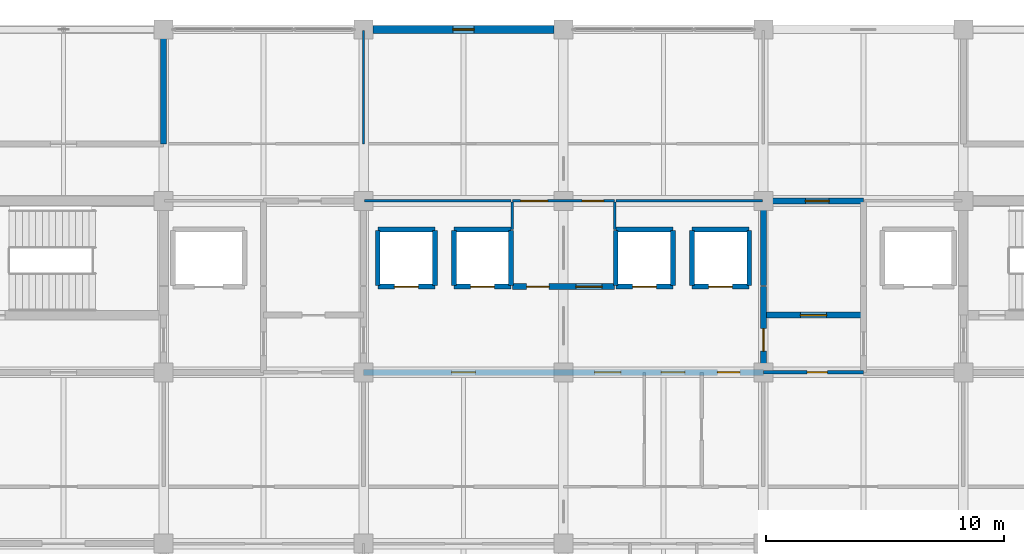
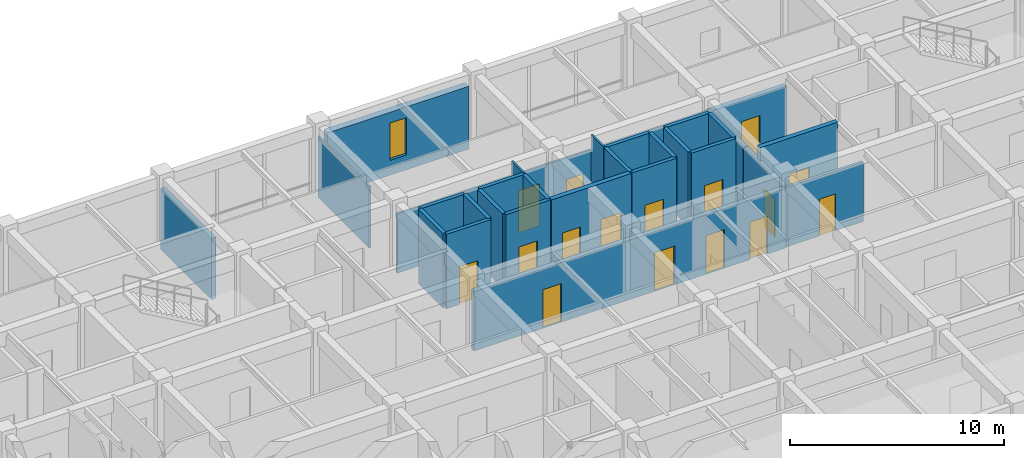
# One storey, part 28 of 40: 31 walls, 16 doors, 1 window, 17 openings.
"""IFC4 building model written with IfcOpenShell, lengths in metres."""

from ifc_helpers import new_model, si_unit, direction, frame, frame_2d, origin, place, context, subcontext, project, spatial, rectangle, extrude, material, layer, layer_set, type_object, element, fill, save


model = new_model("IFC4")

# Units and contexts
model_context = context("Model", 3, precision=1e-05, world=origin(), true_north=direction((0.0, 1.0)))
body_context = subcontext(model_context, "Body", "Model", "MODEL_VIEW")
ifc_project = project(units=[si_unit("LENGTHUNIT", "METRE"), si_unit("AREAUNIT", "SQUARE_METRE"), si_unit("VOLUMEUNIT", "CUBIC_METRE"), si_unit("PLANEANGLEUNIT", "RADIAN"), si_unit("MASSUNIT", "GRAM", prefix="KILO")], contexts=[model_context])

# Site, building, storey
site_placement = place(None, origin())
site = spatial("IfcSite", under=ifc_project, at=site_placement, CompositionType="ELEMENT")
building_placement = place(site_placement, origin())
building = spatial("IfcBuilding", under=site, at=building_placement, Name="Chengyuan Square Courthouse", CompositionType="ELEMENT")
storey_placement = place(building_placement, frame((0.0, 0.0, 21.60009765625)))
storey = spatial("IfcBuildingStorey", under=building, at=storey_placement, Name="L05", CompositionType="ELEMENT", Elevation=21.60009765625)

# Wall, opening, window
ifc_material_1 = material(Name="Concrete C40", Category="concrete")
ifc_layer_1 = layer(ifc_material_1, 0.35009765625)
ifc_layer_set_1 = layer_set([ifc_layer_1], Name="Concrete C40")
wall_type_1 = type_object("IfcWallType", Name="WL-EW2", PredefinedType="STANDARD", material=ifc_layer_set_1)
wall_1_placement = place(storey_placement, frame((75.9951171875, 115.199951171875, 0.0), z_axis=(0.0, 0.0, 1.0), x_axis=(1.0, 0.0, 0.0)))
wall_1 = element("IfcWall", 1, at=wall_1_placement, inside=storey, type_object=wall_type_1, Name="Exterior Wall WL-L05-E346", PredefinedType="STANDARD", context=body_context, shape_type="SweptSolid", body=[
    extrude(rectangle(XDim=7.60986328125, YDim=0.35009765625, at=frame_2d((3.804931640625, 0.0))), origin(), (0.0, 0.0, 1.0), 3.58984375),
])
opening_1_placement = place(wall_1_placement, frame((3.35498046875, 0.0, 0.85009765625)))
opening_1 = element("IfcOpeningElement", 2, at=opening_1_placement, cuts=wall_1, Name="Opening WN-115", PredefinedType="OPENING", context=body_context, shape_type="SweptSolid", body=[
    extrude(rectangle(XDim=0.89990234375, YDim=2.1201171875, at=frame_2d((0.449951171875, 1.06005859375))), frame((0.0, 0.18701171875, 0.0), z_axis=(0.0, -1.0, 0.0), x_axis=(1.0, 0.0, 0.0)), (0.0, 0.0, 1.0), 0.3740234375),
])
ifc_material_2 = material(Name="Thermally Broken Aluminium Triple Low-E Window", Category="aluminium")
window_type = type_object("IfcWindowType", Name="WT-06", PartitioningType="SINGLE_PANEL", PredefinedType="WINDOW", material=ifc_material_2)
window_placement = place(opening_1_placement, origin())
window = element("IfcWindow", 3, at=window_placement, inside=storey, type_object=window_type, Name="Facade Window WN-115", OverallHeight=2.1201171875, OverallWidth=0.89990234375, PartitioningType="SINGLE_PANEL", PredefinedType="WINDOW", context=body_context, shape_type="SweptSolid", body=[
    extrude(rectangle(XDim=0.89990234375, YDim=2.1201171875, at=frame_2d((0.449951171875, 1.06005859375))), frame((0.0, 0.030029296875, 0.0), z_axis=(0.0, -1.0, 0.0), x_axis=(1.0, 0.0, 0.0)), (0.0, 0.0, 1.0), 0.06005859375),
])
fill(opening_1, window)

# Wall, openings, doors
ifc_layer_2 = layer(ifc_material_1, 0.25)
ifc_layer_set_2 = layer_set([ifc_layer_2], Name="Concrete C40")
wall_type_2 = type_object("IfcWallType", Name="WL-FW1", PredefinedType="STANDARD", material=ifc_layer_set_2)
wall_2_placement = place(storey_placement, frame((75.60009765625, 100.800048828125, 0.0), z_axis=(0.0, 0.0, 1.0), x_axis=(1.0, 0.0, 0.0)))
wall_2 = element("IfcWall", 4, at=wall_2_placement, inside=storey, type_object=wall_type_2, Name="Interior Wall WL-L05-I2162", PredefinedType="STANDARD", context=body_context, shape_type="SweptSolid", body=[
    extrude(rectangle(XDim=16.7998046875, YDim=0.25, at=frame_2d((8.39990234375, 0.0))), origin(), (0.0, 0.0, 1.0), 3.389892578125),
])
opening_2_placement = place(wall_2_placement, frame((3.699951171875, 0.0, 0.0)))
opening_2 = element("IfcOpeningElement", 5, at=opening_2_placement, cuts=wall_2, Name="Opening DR-1964", PredefinedType="OPENING", context=body_context, shape_type="SweptSolid", body=[
    extrude(rectangle(XDim=1.0, YDim=2.199951171875, at=frame_2d((0.5, 1.10009765625))), frame((0.0, 0.136962890625, 0.0), z_axis=(0.0, -1.0, 0.0), x_axis=(1.0, 0.0, 0.0)), (0.0, 0.0, 1.0), 0.27392578125),
])
opening_3_placement = place(wall_2_placement, frame((9.7099609375, 0.0, 0.0)))
opening_3 = element("IfcOpeningElement", 6, at=opening_3_placement, cuts=wall_2, Name="Opening DR-1966", PredefinedType="OPENING", context=body_context, shape_type="SweptSolid", body=[
    extrude(rectangle(XDim=1.10009765625, YDim=2.199951171875, at=frame_2d((0.550048828125, 1.10009765625))), frame((0.0, 0.136962890625, 0.0), z_axis=(0.0, -1.0, 0.0), x_axis=(1.0, 0.0, 0.0)), (0.0, 0.0, 1.0), 0.27392578125),
])
opening_4_placement = place(wall_2_placement, frame((12.5, 0.0, 0.0)))
opening_4 = element("IfcOpeningElement", 7, at=opening_4_placement, cuts=wall_2, Name="Opening DR-1967", PredefinedType="OPENING", context=body_context, shape_type="SweptSolid", body=[
    extrude(rectangle(XDim=1.0, YDim=2.199951171875, at=frame_2d((0.5, 1.10009765625))), frame((0.0, 0.136962890625, 0.0), z_axis=(0.0, -1.0, 0.0), x_axis=(1.0, 0.0, 0.0)), (0.0, 0.0, 1.0), 0.27392578125),
])
opening_5_placement = place(wall_2_placement, frame((14.864990234375, 0.0, 0.0)))
opening_5 = element("IfcOpeningElement", 8, at=opening_5_placement, cuts=wall_2, Name="Opening DR-1968", PredefinedType="OPENING", context=body_context, shape_type="SweptSolid", body=[
    extrude(rectangle(XDim=0.949951171875, YDim=2.14990234375, at=frame_2d((0.47509765625, 1.074951171875))), frame((0.0, 0.136962890625, 0.0), z_axis=(0.0, -1.0, 0.0), x_axis=(1.0, 0.0, 0.0)), (0.0, 0.0, 1.0), 0.27392578125),
])
ifc_material_3 = material(Name="Steel Q235B Fire Door", Category="steel")
door_type_1 = type_object("IfcDoorType", Name="DT-10", OperationType="NOTDEFINED", PredefinedType="DOOR", material=ifc_material_3)
door_1_placement = place(opening_3_placement, origin())
door_1 = element("IfcDoor", 9, at=door_1_placement, inside=storey, type_object=door_type_1, Name="Interior Door DR-1966", OperationType="SINGLE_SWING_RIGHT", OverallHeight=2.199951171875, OverallWidth=1.10009765625, PredefinedType="DOOR", context=body_context, shape_type="SweptSolid", body=[
    extrude(rectangle(XDim=1.10009765625, YDim=2.199951171875, at=frame_2d((0.550048828125, 1.10009765625))), frame((0.0, 0.02490234375, 0.0), z_axis=(0.0, -1.0, 0.0), x_axis=(1.0, 0.0, 0.0)), (0.0, 0.0, 1.0), 0.050048828125),
])
fill(opening_3, door_1)
door_type_2 = type_object("IfcDoorType", Name="DT-11", OperationType="NOTDEFINED", PredefinedType="DOOR", material=ifc_material_3)
door_2_placement = place(opening_2_placement, origin())
door_2 = element("IfcDoor", 10, at=door_2_placement, inside=storey, type_object=door_type_2, Name="Interior Door DR-1964", OperationType="SINGLE_SWING_RIGHT", OverallHeight=2.199951171875, OverallWidth=1.0, PredefinedType="DOOR", context=body_context, shape_type="SweptSolid", body=[
    extrude(rectangle(XDim=1.0, YDim=2.199951171875, at=frame_2d((0.5, 1.10009765625))), frame((0.0, 0.02490234375, 0.0), z_axis=(0.0, -1.0, 0.0), x_axis=(1.0, 0.0, 0.0)), (0.0, 0.0, 1.0), 0.050048828125),
])
fill(opening_2, door_2)
door_3_placement = place(opening_4_placement, origin())
door_3 = element("IfcDoor", 11, at=door_3_placement, inside=storey, type_object=door_type_2, Name="Interior Door DR-1967", OperationType="SINGLE_SWING_LEFT", OverallHeight=2.199951171875, OverallWidth=1.0, PredefinedType="DOOR", context=body_context, shape_type="SweptSolid", body=[
    extrude(rectangle(XDim=1.0, YDim=2.199951171875, at=frame_2d((0.5, 1.10009765625))), frame((0.0, 0.02490234375, 0.0), z_axis=(0.0, -1.0, 0.0), x_axis=(1.0, 0.0, 0.0)), (0.0, 0.0, 1.0), 0.050048828125),
])
fill(opening_4, door_3)
door_type_3 = type_object("IfcDoorType", Name="DT-12", OperationType="NOTDEFINED", PredefinedType="DOOR", material=ifc_material_3)
door_4_placement = place(opening_5_placement, origin())
door_4 = element("IfcDoor", 12, at=door_4_placement, inside=storey, type_object=door_type_3, Name="Interior Door DR-1968", OperationType="SINGLE_SWING_RIGHT", OverallHeight=2.14990234375, OverallWidth=0.949951171875, PredefinedType="DOOR", context=body_context, shape_type="SweptSolid", body=[
    extrude(rectangle(XDim=0.949951171875, YDim=2.14990234375, at=frame_2d((0.47509765625, 1.074951171875))), frame((0.0, 0.02490234375, 0.0), z_axis=(0.0, -1.0, 0.0), x_axis=(1.0, 0.0, 0.0)), (0.0, 0.0, 1.0), 0.050048828125),
])
fill(opening_5, door_4)

# Wall, opening, door
wall_3_placement = place(storey_placement, frame((92.39990234375, 103.199951171875, 0.0), z_axis=(0.0, 0.0, 1.0), x_axis=(1.0, 0.0, 0.0)))
wall_3 = element("IfcWall", 13, at=wall_3_placement, inside=storey, type_object=wall_type_2, Name="Interior Wall WL-L05-I2177", PredefinedType="STANDARD", context=body_context, shape_type="SweptSolid", body=[
    extrude(rectangle(XDim=4.2001953125, YDim=0.25, at=frame_2d((2.10009765625, 0.0))), origin(), (0.0, 0.0, 1.0), 4.239990234375),
])
opening_6_placement = place(wall_3_placement, frame((1.550048828125, 0.0, 0.0)))
opening_6 = element("IfcOpeningElement", 14, at=opening_6_placement, cuts=wall_3, Name="Opening DR-1948", PredefinedType="OPENING", context=body_context, shape_type="SweptSolid", body=[
    extrude(rectangle(XDim=1.10009765625, YDim=2.199951171875, at=frame_2d((0.550048828125, 1.10009765625))), frame((0.0, 0.136962890625, 0.0), z_axis=(0.0, -1.0, 0.0), x_axis=(1.0, 0.0, 0.0)), (0.0, 0.0, 1.0), 0.27392578125),
])
door_5_placement = place(opening_6_placement, origin())
door_5 = element("IfcDoor", 15, at=door_5_placement, inside=storey, type_object=door_type_1, Name="Interior Door DR-1948", OperationType="SINGLE_SWING_LEFT", OverallHeight=2.199951171875, OverallWidth=1.10009765625, PredefinedType="DOOR", context=body_context, shape_type="SweptSolid", body=[
    extrude(rectangle(XDim=1.10009765625, YDim=2.199951171875, at=frame_2d((0.550048828125, 1.10009765625))), frame((0.0, 0.02490234375, 0.0), z_axis=(0.0, -1.0, 0.0), x_axis=(1.0, 0.0, 0.0)), (0.0, 0.0, 1.0), 0.050048828125),
])
fill(opening_6, door_5)

# Wall, openings, doors
wall_4_placement = place(storey_placement, frame((81.85009765625, 104.39990234375, 0.0), z_axis=(0.0, 0.0, 1.0), x_axis=(1.0, 0.0, 0.0)))
wall_4 = element("IfcWall", 16, at=wall_4_placement, inside=storey, type_object=wall_type_2, Name="Interior Wall WL-L05-I2188", PredefinedType="STANDARD", context=body_context, shape_type="SweptSolid", body=[
    extrude(rectangle(XDim=4.2998046875, YDim=0.25, at=frame_2d((2.14990234375, 0.0))), origin(), (0.0, 0.0, 1.0), 4.239990234375),
])
opening_7_placement = place(wall_4_placement, frame((0.60009765625, 0.0, 0.0)))
opening_7 = element("IfcOpeningElement", 17, at=opening_7_placement, cuts=wall_4, Name="Opening DR-1965", PredefinedType="OPENING", context=body_context, shape_type="SweptSolid", body=[
    extrude(rectangle(XDim=0.949951171875, YDim=2.14990234375, at=frame_2d((0.47509765625, 1.074951171875))), frame((0.0, 0.136962890625, 0.0), z_axis=(0.0, -1.0, 0.0), x_axis=(1.0, 0.0, 0.0)), (0.0, 0.0, 1.0), 0.27392578125),
])
opening_8_placement = place(wall_4_placement, frame((2.675048828125, 0.0, 0.0)))
opening_8 = element("IfcOpeningElement", 18, at=opening_8_placement, cuts=wall_4, Name="Opening DR-1969", PredefinedType="OPENING", context=body_context, shape_type="SweptSolid", body=[
    extrude(rectangle(XDim=1.10009765625, YDim=2.199951171875, at=frame_2d((0.550048828125, 1.10009765625))), frame((0.0, 0.136962890625, 0.0), z_axis=(0.0, -1.0, 0.0), x_axis=(1.0, 0.0, 0.0)), (0.0, 0.0, 1.0), 0.27392578125),
])
door_6_placement = place(opening_8_placement, origin())
door_6 = element("IfcDoor", 19, at=door_6_placement, inside=storey, type_object=door_type_1, Name="Interior Door DR-1969", OperationType="SINGLE_SWING_LEFT", OverallHeight=2.199951171875, OverallWidth=1.10009765625, PredefinedType="DOOR", context=body_context, shape_type="SweptSolid", body=[
    extrude(rectangle(XDim=1.10009765625, YDim=2.199951171875, at=frame_2d((0.550048828125, 1.10009765625))), frame((0.0, 0.02490234375, 0.0), z_axis=(0.0, -1.0, 0.0), x_axis=(1.0, 0.0, 0.0)), (0.0, 0.0, 1.0), 0.050048828125),
])
fill(opening_8, door_6)
door_7_placement = place(opening_7_placement, origin())
door_7 = element("IfcDoor", 20, at=door_7_placement, inside=storey, type_object=door_type_3, Name="Interior Door DR-1965", OperationType="SINGLE_SWING_LEFT", OverallHeight=2.14990234375, OverallWidth=0.949951171875, PredefinedType="DOOR", context=body_context, shape_type="SweptSolid", body=[
    extrude(rectangle(XDim=0.949951171875, YDim=2.14990234375, at=frame_2d((0.47509765625, 1.074951171875))), frame((0.0, 0.02490234375, 0.0), z_axis=(0.0, -1.0, 0.0), x_axis=(1.0, 0.0, 0.0)), (0.0, 0.0, 1.0), 0.050048828125),
])
fill(opening_7, door_7)

# Wall, opening, door
wall_5_placement = place(storey_placement, frame((92.39990234375, 108.0, 0.0), z_axis=(0.0, 0.0, 1.0), x_axis=(1.0, 0.0, 0.0)))
wall_5 = element("IfcWall", 21, at=wall_5_placement, inside=storey, type_object=wall_type_2, Name="Interior Wall WL-L05-I2213", PredefinedType="STANDARD", context=body_context, shape_type="SweptSolid", body=[
    extrude(rectangle(XDim=4.2001953125, YDim=0.25, at=frame_2d((2.10009765625, 0.0))), origin(), (0.0, 0.0, 1.0), 3.389892578125),
])
opening_9_placement = place(wall_5_placement, frame((1.760009765625, 0.0, 0.0)))
opening_9 = element("IfcOpeningElement", 22, at=opening_9_placement, cuts=wall_5, Name="Opening DR-1952", PredefinedType="OPENING", context=body_context, shape_type="SweptSolid", body=[
    extrude(rectangle(XDim=1.0, YDim=2.199951171875, at=frame_2d((0.5, 1.10009765625))), frame((0.0, 0.136962890625, 0.0), z_axis=(0.0, -1.0, 0.0), x_axis=(1.0, 0.0, 0.0)), (0.0, 0.0, 1.0), 0.27392578125),
])
door_8_placement = place(opening_9_placement, origin())
door_8 = element("IfcDoor", 23, at=door_8_placement, inside=storey, type_object=door_type_2, Name="Interior Door DR-1952", OperationType="SINGLE_SWING_LEFT", OverallHeight=2.199951171875, OverallWidth=1.0, PredefinedType="DOOR", context=body_context, shape_type="SweptSolid", body=[
    extrude(rectangle(XDim=1.0, YDim=2.199951171875, at=frame_2d((0.5, 1.10009765625))), frame((0.0, 0.02490234375, 0.0), z_axis=(0.0, -1.0, 0.0), x_axis=(1.0, 0.0, 0.0)), (0.0, 0.0, 1.0), 0.050048828125),
])
fill(opening_9, door_8)

# Wall
wall_6_placement = place(storey_placement, frame((67.199951171875, 110.39990234375, 0.0), z_axis=(0.0, 0.0, 1.0), x_axis=(0.0, 1.0, 0.0)))
element("IfcWall", 24, at=wall_6_placement, inside=storey, type_object=wall_type_2, Name="Interior Wall WL-L05-I2267", PredefinedType="STANDARD", context=body_context, shape_type="SweptSolid", body=[
    extrude(rectangle(XDim=4.760009765625, YDim=0.25, at=frame_2d((2.3798828125, 0.0))), origin(), (0.0, 0.0, 1.0), 3.489990234375),
])

# Wall, opening, door
wall_7_placement = place(storey_placement, frame((92.39990234375, 100.800048828125, 0.0), z_axis=(0.0, 0.0, 1.0), x_axis=(0.0, 1.0, 0.0)))
wall_7 = element("IfcWall", 25, at=wall_7_placement, inside=storey, type_object=wall_type_2, Name="Interior Wall WL-L05-I2303", PredefinedType="STANDARD", context=body_context, shape_type="SweptSolid", body=[
    extrude(rectangle(XDim=3.599853515625, YDim=0.25, at=frame_2d((1.7998046875, 0.0))), origin(), (0.0, 0.0, 1.0), 3.489990234375),
])
opening_10_placement = place(wall_7_placement, frame((0.885009765625, 0.0, 0.0)))
opening_10 = element("IfcOpeningElement", 26, at=opening_10_placement, cuts=wall_7, Name="Opening DR-1950", PredefinedType="OPENING", context=body_context, shape_type="SweptSolid", body=[
    extrude(rectangle(XDim=0.949951171875, YDim=2.14990234375, at=frame_2d((0.47509765625, 1.074951171875))), frame((0.0, 0.136962890625, 0.0), z_axis=(0.0, -1.0, 0.0), x_axis=(1.0, 0.0, 0.0)), (0.0, 0.0, 1.0), 0.27392578125),
])
door_9_placement = place(opening_10_placement, origin())
door_9 = element("IfcDoor", 27, at=door_9_placement, inside=storey, type_object=door_type_3, Name="Interior Door DR-1950", OperationType="SINGLE_SWING_LEFT", OverallHeight=2.14990234375, OverallWidth=0.949951171875, PredefinedType="DOOR", context=body_context, shape_type="SweptSolid", body=[
    extrude(rectangle(XDim=0.949951171875, YDim=2.14990234375, at=frame_2d((0.47509765625, 1.074951171875))), frame((0.0, 0.02490234375, 0.0), z_axis=(0.0, -1.0, 0.0), x_axis=(1.0, 0.0, 0.0)), (0.0, 0.0, 1.0), 0.050048828125),
])
fill(opening_10, door_9)

# Wall
wall_8_placement = place(storey_placement, frame((92.39990234375, 104.449951171875, 0.0), z_axis=(0.0, 0.0, 1.0), x_axis=(0.0, 1.0, 0.0)))
element("IfcWall", 28, at=wall_8_placement, inside=storey, type_object=wall_type_2, Name="Interior Wall WL-L05-I2304", PredefinedType="STANDARD", context=body_context, shape_type="SweptSolid", body=[
    extrude(rectangle(XDim=3.5, YDim=0.25, at=frame_2d((1.75, 0.0))), origin(), (0.0, 0.0, 1.0), 3.489990234375),
])

# Wall, opening, door
ifc_material_4 = material(Name="Deliberation Room Sound-Insulated Partition")
ifc_layer_3 = layer(ifc_material_4, 0.14990234375)
ifc_layer_set_3 = layer_set([ifc_layer_3], Name="Deliberation Room Sound-Insulated Partition")
wall_type_3 = type_object("IfcWallType", Name="WL-PT3", PredefinedType="STANDARD", material=ifc_layer_set_3)
wall_9_placement = place(storey_placement, frame((92.39990234375, 100.800048828125, 0.0), z_axis=(0.0, 0.0, 1.0), x_axis=(1.0, 0.0, 0.0)))
wall_9 = element("IfcWall", 29, at=wall_9_placement, inside=storey, type_object=wall_type_3, Name="Interior Wall WL-L05-I2163", PredefinedType="STANDARD", context=body_context, shape_type="SweptSolid", body=[
    extrude(rectangle(XDim=4.2001953125, YDim=0.14990234375, at=frame_2d((2.10009765625, 0.0))), origin(), (0.0, 0.0, 1.0), 3.389892578125),
])
opening_11_placement = place(wall_9_placement, frame((1.830078125, 0.0, 0.0)))
opening_11 = element("IfcOpeningElement", 30, at=opening_11_placement, cuts=wall_9, Name="Opening DR-1951", PredefinedType="OPENING", context=body_context, shape_type="SweptSolid", body=[
    extrude(rectangle(XDim=0.860107421875, YDim=2.10009765625, at=frame_2d((0.43017578125, 1.050048828125))), frame((0.0, 0.0869140625, 0.0), z_axis=(0.0, -1.0, 0.0), x_axis=(1.0, 0.0, 0.0)), (0.0, 0.0, 1.0), 0.173828125),
])
ifc_material_5 = material(Name="Acoustic Solid-Core Timber Door", Category="wood")
door_type_4 = type_object("IfcDoorType", Name="DT-28", OperationType="NOTDEFINED", PredefinedType="DOOR", material=ifc_material_5)
door_10_placement = place(opening_11_placement, origin())
door_10 = element("IfcDoor", 31, at=door_10_placement, inside=storey, type_object=door_type_4, Name="Interior Door DR-1951", OperationType="SINGLE_SWING_RIGHT", OverallHeight=2.10009765625, OverallWidth=0.860107421875, PredefinedType="DOOR", context=body_context, shape_type="SweptSolid", body=[
    extrude(rectangle(XDim=0.860107421875, YDim=2.10009765625, at=frame_2d((0.43017578125, 1.050048828125))), frame((0.0, 0.02490234375, 0.0), z_axis=(0.0, -1.0, 0.0), x_axis=(1.0, 0.0, 0.0)), (0.0, 0.0, 1.0), 0.050048828125),
])
fill(opening_11, door_10)

# Wall
ifc_material_6 = material(Name="Gypsum Plasterboard Acoustic Stud Partition")
ifc_layer_4 = layer(ifc_material_6, 0.10009765625)
ifc_layer_set_4 = layer_set([ifc_layer_4], Name="Gypsum Plasterboard Acoustic Stud Partition")
wall_type_4 = type_object("IfcWallType", Name="WL-PT6", PredefinedType="STANDARD", material=ifc_layer_set_4)
wall_10_placement = place(storey_placement, frame((75.64990234375, 108.0, 0.0), z_axis=(0.0, 0.0, 1.0), x_axis=(1.0, 0.0, 0.0)))
element("IfcWall", 32, at=wall_10_placement, inside=storey, type_object=wall_type_4, Name="Interior Wall WL-L05-I2210", PredefinedType="STANDARD", context=body_context, shape_type="SweptSolid", body=[
    extrude(rectangle(XDim=6.150146484375, YDim=0.10009765625, at=frame_2d((3.0751953125, 0.0))), origin(), (0.0, 0.0, 1.0), 3.389892578125),
])

# Wall, openings, doors
wall_11_placement = place(storey_placement, frame((81.85009765625, 108.0, 0.0), z_axis=(0.0, 0.0, 1.0), x_axis=(1.0, 0.0, 0.0)))
wall_11 = element("IfcWall", 33, at=wall_11_placement, inside=storey, type_object=wall_type_4, Name="Interior Wall WL-L05-I2211", PredefinedType="STANDARD", context=body_context, shape_type="SweptSolid", body=[
    extrude(rectangle(XDim=4.2998046875, YDim=0.10009765625, at=frame_2d((2.14990234375, 0.0))), origin(), (0.0, 0.0, 1.0), 3.389892578125),
])
opening_12_placement = place(wall_11_placement, frame((0.344970703125, 0.0, 0.0)))
opening_12 = element("IfcOpeningElement", 34, at=opening_12_placement, cuts=wall_11, Name="Opening DR-2085", PredefinedType="OPENING", context=body_context, shape_type="SweptSolid", body=[
    extrude(rectangle(XDim=1.139892578125, YDim=2.39990234375, at=frame_2d((0.56982421875, 1.199951171875))), frame((0.0, 0.06201171875, 0.0), z_axis=(0.0, -1.0, 0.0), x_axis=(1.0, 0.0, 0.0)), (0.0, 0.0, 1.0), 0.1240234375),
])
opening_13_placement = place(wall_11_placement, frame((2.93505859375, 0.0, 0.0)))
opening_13 = element("IfcOpeningElement", 35, at=opening_13_placement, cuts=wall_11, Name="Opening DR-2086", PredefinedType="OPENING", context=body_context, shape_type="SweptSolid", body=[
    extrude(rectangle(XDim=0.89990234375, YDim=2.14990234375, at=frame_2d((0.449951171875, 1.074951171875))), frame((0.0, 0.06201171875, 0.0), z_axis=(0.0, -1.0, 0.0), x_axis=(1.0, 0.0, 0.0)), (0.0, 0.0, 1.0), 0.1240234375),
])
door_type_5 = type_object("IfcDoorType", Name="DT-27", OperationType="NOTDEFINED", PredefinedType="DOOR", material=ifc_material_5)
door_11_placement = place(opening_13_placement, origin())
door_11 = element("IfcDoor", 36, at=door_11_placement, inside=storey, type_object=door_type_5, Name="Interior Door DR-2086", OperationType="SINGLE_SWING_RIGHT", OverallHeight=2.14990234375, OverallWidth=0.89990234375, PredefinedType="DOOR", context=body_context, shape_type="SweptSolid", body=[
    extrude(rectangle(XDim=0.89990234375, YDim=2.14990234375, at=frame_2d((0.449951171875, 1.074951171875))), frame((0.0, 0.02490234375, 0.0), z_axis=(0.0, -1.0, 0.0), x_axis=(1.0, 0.0, 0.0)), (0.0, 0.0, 1.0), 0.050048828125),
])
fill(opening_13, door_11)
door_type_6 = type_object("IfcDoorType", Name="DT-43", OperationType="NOTDEFINED", PredefinedType="DOOR", material=ifc_material_5)
door_12_placement = place(opening_12_placement, origin())
door_12 = element("IfcDoor", 37, at=door_12_placement, inside=storey, type_object=door_type_6, Name="Interior Door DR-2085", OperationType="SINGLE_SWING_LEFT", OverallHeight=2.39990234375, OverallWidth=1.139892578125, PredefinedType="DOOR", context=body_context, shape_type="SweptSolid", body=[
    extrude(rectangle(XDim=1.139892578125, YDim=2.39990234375, at=frame_2d((0.56982421875, 1.199951171875))), frame((0.0, 0.02490234375, 0.0), z_axis=(0.0, -1.0, 0.0), x_axis=(1.0, 0.0, 0.0)), (0.0, 0.0, 1.0), 0.050048828125),
])
fill(opening_12, door_12)

# Walls
wall_12_placement = place(storey_placement, frame((86.199951171875, 108.0, 0.0), z_axis=(0.0, 0.0, 1.0), x_axis=(1.0, 0.0, 0.0)))
element("IfcWall", 38, at=wall_12_placement, inside=storey, type_object=wall_type_4, Name="Interior Wall WL-L05-I2212", PredefinedType="STANDARD", context=body_context, shape_type="SweptSolid", body=[
    extrude(rectangle(XDim=6.150146484375, YDim=0.10009765625, at=frame_2d((3.0751953125, 0.0))), origin(), (0.0, 0.0, 1.0), 3.389892578125),
])
wall_13_placement = place(storey_placement, frame((75.60009765625, 110.39990234375, 0.0), z_axis=(0.0, 0.0, 1.0), x_axis=(0.0, 1.0, 0.0)))
element("IfcWall", 39, at=wall_13_placement, inside=storey, type_object=wall_type_4, Name="Interior Wall WL-L05-I2282", PredefinedType="STANDARD", context=body_context, shape_type="SweptSolid", body=[
    extrude(rectangle(XDim=4.760009765625, YDim=0.10009765625, at=frame_2d((2.3798828125, 0.0))), origin(), (0.0, 0.0, 1.0), 3.489990234375),
])
for number, where, z_axis, x_axis, name in (
    (40, (81.85009765625, 106.800048828125, 0.0), (0.0, 0.0, 1.0), (0.0, 1.0, 0.0), "Interior Wall WL-L05-I2289"),
    (41, (86.14990234375, 106.800048828125, 0.0), (0.0, 0.0, 1.0), (0.0, 1.0, 0.0), "Interior Wall WL-L05-I2291"),
):
    element("IfcWall", number, at=place(storey_placement, frame(where, z_axis=z_axis, x_axis=x_axis)), inside=storey, type_object=wall_type_4, Name=name, PredefinedType="STANDARD", context=body_context, shape_type="SweptSolid", body=[
        extrude(rectangle(XDim=1.14990234375, YDim=0.10009765625, at=frame_2d((0.574951171875, 0.0))), origin(), (0.0, 0.0, 1.0), 4.239990234375),
    ])

# Wall, opening, door
ifc_material_7 = material(Name="Reinforced Masonry Shaft Enclosure", Category="masonry")
ifc_layer_5 = layer(ifc_material_7, 0.199951171875)
ifc_layer_set_5 = layer_set([ifc_layer_5], Name="Reinforced Masonry Shaft Enclosure")
wall_type_5 = type_object("IfcWallType", Name="WL-SH1", PredefinedType="STANDARD", material=ifc_layer_set_5)
wall_14_placement = place(storey_placement, frame((76.199951171875, 104.39990234375, 0.0), z_axis=(0.0, 0.0, 1.0), x_axis=(1.0, 0.0, 0.0)))
wall_14 = element("IfcWall", 42, at=wall_14_placement, inside=storey, type_object=wall_type_5, Name="Interior Wall WL-L05-I2186", PredefinedType="STANDARD", context=body_context, shape_type="SweptSolid", body=[
    extrude(rectangle(XDim=2.400146484375, YDim=0.199951171875, at=frame_2d((1.2001953125, 0.0))), origin(), (0.0, 0.0, 1.0), 4.239990234375),
])
opening_14_placement = place(wall_14_placement, frame((0.699951171875, 0.0, 0.0)))
opening_14 = element("IfcOpeningElement", 43, at=opening_14_placement, cuts=wall_14, Name="Opening LD-089", PredefinedType="OPENING", context=body_context, shape_type="SweptSolid", body=[
    extrude(rectangle(XDim=1.0, YDim=2.14990234375, at=frame_2d((0.5, 1.074951171875))), frame((0.0, 0.112060546875, 0.0), z_axis=(0.0, -1.0, 0.0), x_axis=(1.0, 0.0, 0.0)), (0.0, 0.0, 1.0), 0.223876953125),
])
ifc_material_8 = material(Name="Stainless Steel S30408 Lift Landing Door", Category="steel")
door_type_7 = type_object("IfcDoorType", Name="DT-07", OperationType="DOUBLE_DOOR_SLIDING", PredefinedType="DOOR", material=ifc_material_8)
door_13_placement = place(opening_14_placement, origin())
door_13 = element("IfcDoor", 44, at=door_13_placement, inside=storey, type_object=door_type_7, Name="Lift Landing Door LF-J1 L05", OperationType="DOUBLE_DOOR_SLIDING", OverallHeight=2.14990234375, OverallWidth=1.0, PredefinedType="DOOR", context=body_context, shape_type="SweptSolid", body=[
    extrude(rectangle(XDim=1.0, YDim=2.14990234375, at=frame_2d((0.5, 1.074951171875))), frame((0.0, 0.02490234375, 0.0), z_axis=(0.0, -1.0, 0.0), x_axis=(1.0, 0.0, 0.0)), (0.0, 0.0, 1.0), 0.050048828125),
])
fill(opening_14, door_13)

wall_15_placement = place(storey_placement, frame((79.39990234375, 104.39990234375, 0.0), z_axis=(0.0, 0.0, 1.0), x_axis=(1.0, 0.0, 0.0)))
wall_15 = element("IfcWall", 45, at=wall_15_placement, inside=storey, type_object=wall_type_5, Name="Interior Wall WL-L05-I2187", PredefinedType="STANDARD", context=body_context, shape_type="SweptSolid", body=[
    extrude(rectangle(XDim=2.400146484375, YDim=0.199951171875, at=frame_2d((1.2001953125, 0.0))), origin(), (0.0, 0.0, 1.0), 4.239990234375),
])
opening_15_placement = place(wall_15_placement, frame((0.699951171875, 0.0, 0.0)))
opening_15 = element("IfcOpeningElement", 46, at=opening_15_placement, cuts=wall_15, Name="Opening LD-090", PredefinedType="OPENING", context=body_context, shape_type="SweptSolid", body=[
    extrude(rectangle(XDim=1.0, YDim=2.14990234375, at=frame_2d((0.5, 1.074951171875))), frame((0.0, 0.112060546875, 0.0), z_axis=(0.0, -1.0, 0.0), x_axis=(1.0, 0.0, 0.0)), (0.0, 0.0, 1.0), 0.223876953125),
])
door_14_placement = place(opening_15_placement, origin())
door_14 = element("IfcDoor", 47, at=door_14_placement, inside=storey, type_object=door_type_7, Name="Lift Landing Door LF-J2 L05", OperationType="DOUBLE_DOOR_SLIDING", OverallHeight=2.14990234375, OverallWidth=1.0, PredefinedType="DOOR", context=body_context, shape_type="SweptSolid", body=[
    extrude(rectangle(XDim=1.0, YDim=2.14990234375, at=frame_2d((0.5, 1.074951171875))), frame((0.0, 0.02490234375, 0.0), z_axis=(0.0, -1.0, 0.0), x_axis=(1.0, 0.0, 0.0)), (0.0, 0.0, 1.0), 0.050048828125),
])
fill(opening_15, door_14)

wall_16_placement = place(storey_placement, frame((86.199951171875, 104.39990234375, 0.0), z_axis=(0.0, 0.0, 1.0), x_axis=(1.0, 0.0, 0.0)))
wall_16 = element("IfcWall", 48, at=wall_16_placement, inside=storey, type_object=wall_type_5, Name="Interior Wall WL-L05-I2189", PredefinedType="STANDARD", context=body_context, shape_type="SweptSolid", body=[
    extrude(rectangle(XDim=2.400146484375, YDim=0.199951171875, at=frame_2d((1.2001953125, 0.0))), origin(), (0.0, 0.0, 1.0), 4.239990234375),
])
opening_16_placement = place(wall_16_placement, frame((0.699951171875, 0.0, 0.0)))
opening_16 = element("IfcOpeningElement", 49, at=opening_16_placement, cuts=wall_16, Name="Opening LD-091", PredefinedType="OPENING", context=body_context, shape_type="SweptSolid", body=[
    extrude(rectangle(XDim=1.0, YDim=2.14990234375, at=frame_2d((0.5, 1.074951171875))), frame((0.0, 0.112060546875, 0.0), z_axis=(0.0, -1.0, 0.0), x_axis=(1.0, 0.0, 0.0)), (0.0, 0.0, 1.0), 0.223876953125),
])
door_15_placement = place(opening_16_placement, origin())
door_15 = element("IfcDoor", 50, at=door_15_placement, inside=storey, type_object=door_type_7, Name="Lift Landing Door LF-J3 L05", OperationType="DOUBLE_DOOR_SLIDING", OverallHeight=2.14990234375, OverallWidth=1.0, PredefinedType="DOOR", context=body_context, shape_type="SweptSolid", body=[
    extrude(rectangle(XDim=1.0, YDim=2.14990234375, at=frame_2d((0.5, 1.074951171875))), frame((0.0, 0.02490234375, 0.0), z_axis=(0.0, -1.0, 0.0), x_axis=(1.0, 0.0, 0.0)), (0.0, 0.0, 1.0), 0.050048828125),
])
fill(opening_16, door_15)

wall_17_placement = place(storey_placement, frame((89.39990234375, 104.39990234375, 0.0), z_axis=(0.0, 0.0, 1.0), x_axis=(1.0, 0.0, 0.0)))
wall_17 = element("IfcWall", 51, at=wall_17_placement, inside=storey, type_object=wall_type_5, Name="Interior Wall WL-L05-I2190", PredefinedType="STANDARD", context=body_context, shape_type="SweptSolid", body=[
    extrude(rectangle(XDim=2.400146484375, YDim=0.199951171875, at=frame_2d((1.2001953125, 0.0))), origin(), (0.0, 0.0, 1.0), 4.239990234375),
])
opening_17_placement = place(wall_17_placement, frame((0.699951171875, 0.0, 0.0)))
opening_17 = element("IfcOpeningElement", 52, at=opening_17_placement, cuts=wall_17, Name="Opening LD-092", PredefinedType="OPENING", context=body_context, shape_type="SweptSolid", body=[
    extrude(rectangle(XDim=1.0, YDim=2.14990234375, at=frame_2d((0.5, 1.074951171875))), frame((0.0, 0.112060546875, 0.0), z_axis=(0.0, -1.0, 0.0), x_axis=(1.0, 0.0, 0.0)), (0.0, 0.0, 1.0), 0.223876953125),
])
door_16_placement = place(opening_17_placement, origin())
door_16 = element("IfcDoor", 53, at=door_16_placement, inside=storey, type_object=door_type_7, Name="Lift Landing Door LF-J4 L05", OperationType="DOUBLE_DOOR_SLIDING", OverallHeight=2.14990234375, OverallWidth=1.0, PredefinedType="DOOR", context=body_context, shape_type="SweptSolid", body=[
    extrude(rectangle(XDim=1.0, YDim=2.14990234375, at=frame_2d((0.5, 1.074951171875))), frame((0.0, 0.02490234375, 0.0), z_axis=(0.0, -1.0, 0.0), x_axis=(1.0, 0.0, 0.0)), (0.0, 0.0, 1.0), 0.050048828125),
])
fill(opening_17, door_16)

# Walls
for number, where, z_axis, x_axis, name in (
    (54, (76.199951171875, 106.800048828125, 0.0), (0.0, 0.0, 1.0), (1.0, 0.0, 0.0), "Interior Wall WL-L05-I2198"),
    (55, (79.39990234375, 106.800048828125, 0.0), (0.0, 0.0, 1.0), (1.0, 0.0, 0.0), "Interior Wall WL-L05-I2199"),
    (56, (86.199951171875, 106.800048828125, 0.0), (0.0, 0.0, 1.0), (1.0, 0.0, 0.0), "Interior Wall WL-L05-I2200"),
    (57, (89.39990234375, 106.800048828125, 0.0), (0.0, 0.0, 1.0), (1.0, 0.0, 0.0), "Interior Wall WL-L05-I2201"),
):
    element("IfcWall", number, at=place(storey_placement, frame(where, z_axis=z_axis, x_axis=x_axis)), inside=storey, type_object=wall_type_5, Name=name, PredefinedType="STANDARD", context=body_context, shape_type="SweptSolid", body=[
        extrude(rectangle(XDim=2.400146484375, YDim=0.199951171875, at=frame_2d((1.2001953125, 0.0))), origin(), (0.0, 0.0, 1.0), 4.239990234375),
    ])
for number, where, z_axis, x_axis, name in (
    (58, (76.199951171875, 104.449951171875, 0.0), (0.0, 0.0, 1.0), (0.0, 1.0, 0.0), "Interior Wall WL-L05-I2283"),
    (59, (78.60009765625, 104.449951171875, 0.0), (0.0, 0.0, 1.0), (0.0, 1.0, 0.0), "Interior Wall WL-L05-I2285"),
    (60, (79.39990234375, 104.449951171875, 0.0), (0.0, 0.0, 1.0), (0.0, 1.0, 0.0), "Interior Wall WL-L05-I2286"),
    (61, (81.800048828125, 104.449951171875, 0.0), (0.0, 0.0, 1.0), (0.0, 1.0, 0.0), "Interior Wall WL-L05-I2288"),
    (62, (86.199951171875, 104.449951171875, 0.0), (0.0, 0.0, 1.0), (0.0, 1.0, 0.0), "Interior Wall WL-L05-I2292"),
    (63, (88.60009765625, 104.449951171875, 0.0), (0.0, 0.0, 1.0), (0.0, 1.0, 0.0), "Interior Wall WL-L05-I2295"),
    (64, (89.39990234375, 104.449951171875, 0.0), (0.0, 0.0, 1.0), (0.0, 1.0, 0.0), "Interior Wall WL-L05-I2296"),
    (65, (91.800048828125, 104.449951171875, 0.0), (0.0, 0.0, 1.0), (0.0, 1.0, 0.0), "Interior Wall WL-L05-I2299"),
):
    element("IfcWall", number, at=place(storey_placement, frame(where, z_axis=z_axis, x_axis=x_axis)), inside=storey, type_object=wall_type_5, Name=name, PredefinedType="STANDARD", context=body_context, shape_type="SweptSolid", body=[
        extrude(rectangle(XDim=2.300048828125, YDim=0.199951171875, at=frame_2d((1.14990234375, 0.0))), origin(), (0.0, 0.0, 1.0), 4.239990234375),
    ])

save(model, "model.ifc")
